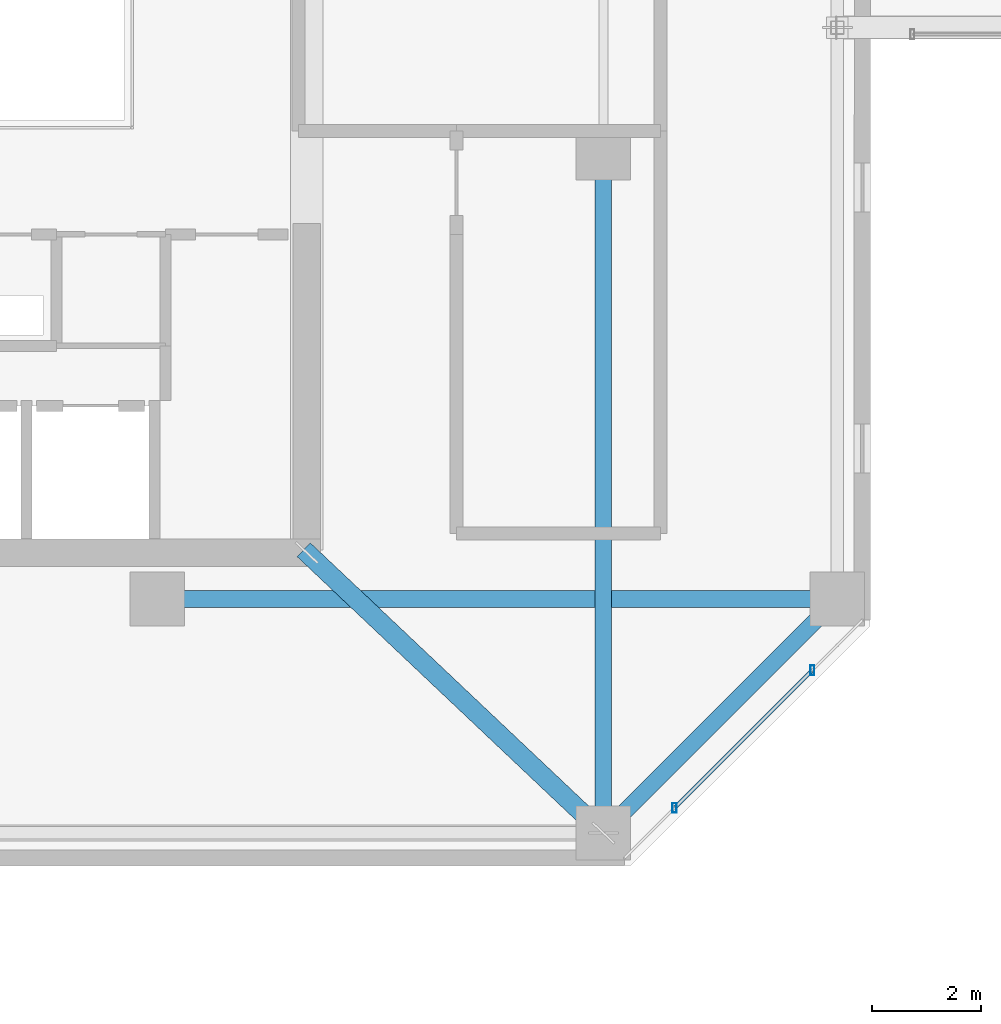
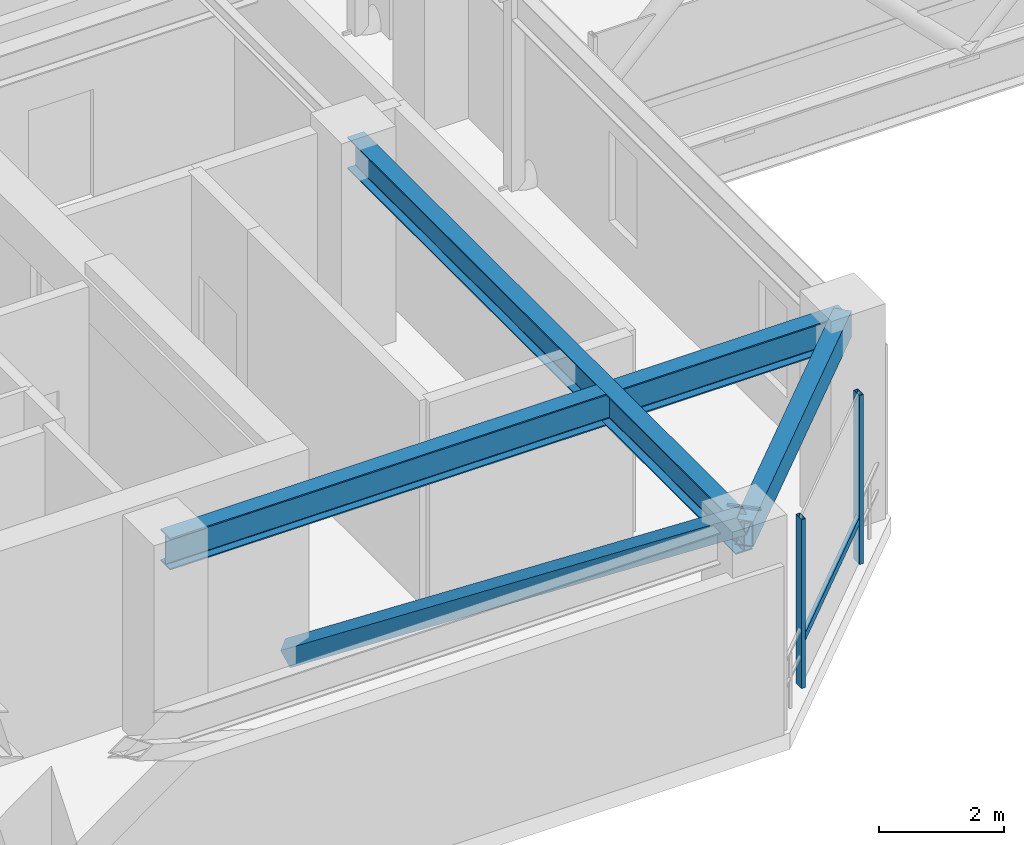
# One storey, part 5 of 42: 4 members, 3 beams, 1 element without a shape of its own.
"""IFC4 building model written with IfcOpenShell, lengths in metres."""

import ifcopenshell
import ifcopenshell.guid

model = None  # the IFC model being written
_history = None  # IfcOwnerHistory: only IFC2X3 demands one
_inside = {}  # id of a spatial element -> (the spatial element, [elements in it])
_under = {}  # id of a project, library or spatial element -> (it, [spatial elements below it])
_declared = {}  # id of a project -> (the project, [libraries it declares])
_typed = {}  # id of a type object -> (the type object, [elements of that type])
_made_of = {}  # id of a material, layer set ... -> (it, [elements and type objects made of it])


def new_model(schema):
    """Start an empty IFC model of exactly this schema.

    Asked for "IFC4X3", IfcOpenShell would pick the latest addendum, in which some entities
    have other attributes; the version numbers below select the first issue.
    IFC2X3 requires an IfcOwnerHistory on every rooted entity: one is made here for all.
    """
    global model, _history
    if schema == "IFC4X3":
        model = ifcopenshell.file(schema_version=(4, 3, 0, 0))
    else:
        model = ifcopenshell.file(schema=schema)
    _inside.clear()
    _under.clear()
    _declared.clear()
    _typed.clear()
    _made_of.clear()
    _history = None
    if model.schema == "IFC2X3":
        org = make("IfcOrganization", Name="unknown")
        user = make(
            "IfcPersonAndOrganization",
            ThePerson=make("IfcPerson", FamilyName="unknown"),
            TheOrganization=org,
        )
        app = make(
            "IfcApplication",
            ApplicationDeveloper=org,
            Version="unknown",
            ApplicationFullName="unknown",
            ApplicationIdentifier="unknown",
        )
        _history = make(
            "IfcOwnerHistory",
            OwningUser=user,
            OwningApplication=app,
            ChangeAction="ADDED",
            CreationDate=0,
        )
    return model


def make(cls, **values):
    """One entity of the class cls with the attributes given. An attribute that is None is left unset."""
    return model.create_entity(
        cls, **{name: value for name, value in values.items() if value is not None}
    )


def rooted(cls, **values):
    """An entity with a GlobalId (a new one), such as an element, a storey or a relation."""
    return make(cls, GlobalId=ifcopenshell.guid.new(), OwnerHistory=_history, **values)


def si_unit(unit_type, name, prefix=None):
    """IfcSIUnit, for example si_unit("LENGTHUNIT", "METRE", prefix="MILLI")."""
    return make("IfcSIUnit", UnitType=unit_type, Prefix=prefix, Name=name)


def assignment(units):
    """IfcUnitAssignment: the units of a project."""
    return None if units is None else make("IfcUnitAssignment", Units=units)


def point(xyz):
    """IfcCartesianPoint."""
    return None if xyz is None else make("IfcCartesianPoint", Coordinates=xyz)


def direction(xyz):
    """IfcDirection."""
    return None if xyz is None else make("IfcDirection", DirectionRatios=xyz)


def frame(location, z_axis=None, x_axis=None):
    """IfcAxis2Placement3D, a coordinate frame: its origin and axes. An axis left out is left unset."""
    return make(
        "IfcAxis2Placement3D",
        Location=point(location),
        Axis=direction(z_axis),
        RefDirection=direction(x_axis),
    )


def frame_2d(location, x_axis=None):
    """IfcAxis2Placement2D, a coordinate frame in the plane: its origin and x axis."""
    return make(
        "IfcAxis2Placement2D", Location=point(location), RefDirection=direction(x_axis)
    )


def origin():
    """The frame at (0, 0, 0) with its axes left unset."""
    return frame((0.0, 0.0, 0.0))


def origin_2d():
    """The frame at (0, 0) in the plane with its x axis left unset."""
    return frame_2d((0.0, 0.0))


def place(relative_to, where):
    """IfcLocalPlacement: puts the frame where relative to a parent placement (None: the world)."""
    return make(
        "IfcLocalPlacement", PlacementRelTo=relative_to, RelativePlacement=where
    )


def context(
    kind, dimensions, precision=None, world=None, true_north=None, identifier=None
):
    """IfcGeometricRepresentationContext, for example the 3D "Model" context."""
    return make(
        "IfcGeometricRepresentationContext",
        ContextIdentifier=identifier,
        ContextType=kind,
        CoordinateSpaceDimension=dimensions,
        Precision=precision,
        WorldCoordinateSystem=world,
        TrueNorth=true_north,
    )


def subcontext(parent, identifier, kind, view, scale=None):
    """IfcGeometricRepresentationSubContext, for example "Body" below "Model"."""
    return make(
        "IfcGeometricRepresentationSubContext",
        ContextIdentifier=identifier,
        ContextType=kind,
        ParentContext=parent,
        TargetScale=scale,
        TargetView=view,
    )


def project(units=None, contexts=None):
    """IfcProject with its units and contexts."""
    return rooted(
        "IfcProject",
        Name="project",
        RepresentationContexts=contexts,
        UnitsInContext=assignment(units),
    )


def spatial(cls, under=None, at=None, **own):
    """A site, building, storey or space (cls), placed at a placement, below another one or the project."""
    s = rooted(cls, ObjectPlacement=at, **own)
    if under is not None:
        _under.setdefault(under.id(), (under, []))[1].append(s)
    return s


def profile(cls, at=None, kind="AREA", **sizes):
    """A parametric profile (cls). Its sizes go by their IFC names, for example OverallWidth=200.0."""
    return make(cls, ProfileType=kind, Position=at, **sizes)


def hollow_rectangle(**sizes):
    """IfcRectangleHollowProfileDef."""
    return profile("IfcRectangleHollowProfileDef", **sizes)


def i_section(**sizes):
    """IfcIShapeProfileDef."""
    return profile("IfcIShapeProfileDef", **sizes)


def extrude(swept, where, along, depth):
    """IfcExtrudedAreaSolid: the profile swept, set in the frame where, extruded along a direction by depth."""
    return make(
        "IfcExtrudedAreaSolid",
        SweptArea=swept,
        Position=where,
        ExtrudedDirection=direction(along),
        Depth=depth,
    )


def shape(context_of_items, identifier, shape_type, items):
    """IfcShapeRepresentation: the items that make up one representation, for example the "Body"."""
    return make(
        "IfcShapeRepresentation",
        ContextOfItems=context_of_items,
        RepresentationIdentifier=identifier,
        RepresentationType=shape_type,
        Items=items,
    )


def material(Name=None, Category=None):
    """IfcMaterial."""
    return make("IfcMaterial", Name=Name, Category=Category)


def material_profile(
    of_material, cross_section, Name=None, Category=None, Priority=None
):
    """IfcMaterialProfile: a cross section and its material."""
    return make(
        "IfcMaterialProfile",
        Name=Name,
        Material=of_material,
        Profile=cross_section,
        Priority=Priority,
        Category=Category,
    )


def profile_set(profiles, Name=None, composite=None):
    """IfcMaterialProfileSet."""
    return make(
        "IfcMaterialProfileSet",
        Name=Name,
        MaterialProfiles=profiles,
        CompositeProfile=composite,
    )


def made_of(thing, what):
    """Note that an element or type object is made of a material, layer set ...; save() writes the relation."""
    if what is not None:
        _made_of.setdefault(what.id(), (what, []))[1].append(thing)
    return thing


def type_object(cls, material=None, **own):
    """A type object (cls), such as IfcWallType, which elements share."""
    return made_of(rooted(cls, **own), material)


def element(
    cls,
    number,
    at=None,
    inside=None,
    cuts=None,
    type_object=None,
    material=None,
    context=None,
    identifier="Body",
    shape_type=None,
    held_by="IfcProductDefinitionShape",
    body=None,
    shapes=None,
    **own,
):
    """One element of the class cls, such as IfcWall. Its Tag is "e" and its number.

    at: its placement. inside: the storey or other place that contains it. cuts: it is an
    opening in that element (IfcRelVoidsElement). A single representation is given by context,
    identifier, shape_type and body (its items); several are given by shapes. held_by: the class
    of the entity that holds the representations. save() writes the other relations.
    """
    e = rooted(cls, Tag="e%d" % number, ObjectPlacement=at, **own)
    if body is not None:
        shapes = [shape(context, identifier, shape_type, body)]
    if shapes is not None:
        e.Representation = make(held_by, Representations=shapes)
    if inside is not None:
        _inside.setdefault(inside.id(), (inside, []))[1].append(e)
    if cuts is not None:
        rooted(
            "IfcRelVoidsElement", RelatingBuildingElement=cuts, RelatedOpeningElement=e
        )
    if type_object is not None:
        _typed.setdefault(type_object.id(), (type_object, []))[1].append(e)
    return made_of(e, material)


def aggregate(whole, parts):
    """IfcRelAggregates: a whole, such as a stair, and the parts it consists of."""
    return rooted("IfcRelAggregates", RelatingObject=whole, RelatedObjects=parts)


def save(model, path):
    """Write the relations noted so far, then the file.

    IfcRelAggregates (storeys below a building ...), IfcRelContainedInSpatialStructure (elements
    in a storey), IfcRelDefinesByType, IfcRelAssociatesMaterial and IfcRelDeclares: one each for
    every whole, place, type object, material and project.
    """
    for whole, parts in _under.values():
        aggregate(whole, parts)
    for where, things in _inside.values():
        rooted(
            "IfcRelContainedInSpatialStructure",
            RelatedElements=things,
            RelatingStructure=where,
        )
    for kind, things in _typed.values():
        rooted("IfcRelDefinesByType", RelatedObjects=things, RelatingType=kind)
    for what, things in _made_of.values():
        rooted("IfcRelAssociatesMaterial", RelatedObjects=things, RelatingMaterial=what)
    for by, libraries in _declared.values():
        rooted("IfcRelDeclares", RelatingContext=by, RelatedDefinitions=libraries)
    model.write(path)


model = new_model("IFC4")

# Units and contexts
model_context = context("Model", 3, precision=1e-05, world=origin(), true_north=direction((0.0, 1.0)))
body_context = subcontext(model_context, "Body", "Model", "MODEL_VIEW")
ifc_project = project(units=[si_unit("LENGTHUNIT", "METRE"), si_unit("AREAUNIT", "SQUARE_METRE"), si_unit("VOLUMEUNIT", "CUBIC_METRE"), si_unit("PLANEANGLEUNIT", "RADIAN"), si_unit("MASSUNIT", "GRAM", prefix="KILO")], contexts=[model_context])

# Site, building, storey
site_placement = place(None, origin())
site = spatial("IfcSite", under=ifc_project, at=site_placement, CompositionType="ELEMENT")
building_placement = place(site_placement, origin())
building = spatial("IfcBuilding", under=site, at=building_placement, Name="Thornwick Lancets Civic Towers", CompositionType="ELEMENT")
storey_placement = place(building_placement, frame((0.0, 0.0, 221.699951171875)))
storey = spatial("IfcBuildingStorey", under=building, at=storey_placement, Name="L59", CompositionType="ELEMENT", Elevation=221.699951171875)

# Beams
ifc_material_1 = material(Name="Steel S355JR", Category="steel")
ifc_material_profile_1 = material_profile(ifc_material_1, i_section(OverallWidth=0.30712890625, OverallDepth=0.6201171875, WebThickness=0.01416015625, FlangeThickness=0.023681640625, FilletRadius=0.0166015625, at=origin_2d()), Name="UKB 610x305x179")
ifc_profile_set_1 = profile_set([ifc_material_profile_1], Name="Steel S355JR")
beam_type_1 = type_object("IfcBeamType", Name="BM_GIRD_610_179", PredefinedType="BEAM", material=ifc_profile_set_1)
beam_1_placement = place(storey_placement, frame((38.5, 22.1201171875, 3.64990234375), z_axis=(0.0, -1.0, 0.0), x_axis=(1.0, 0.0, 0.0)))
element("IfcBeam", 1, at=beam_1_placement, inside=storey, type_object=beam_type_1, Name="BM-RADIN-L59-A03", PredefinedType="BEAM", context=body_context, shape_type="SweptSolid", body=[
    extrude(i_section(OverallWidth=0.30712890625, OverallDepth=0.6201171875, WebThickness=0.01416015625, FlangeThickness=0.023681640625, FilletRadius=0.0166015625, at=origin_2d()), origin(), (0.0, 0.0, 1.0), 12.420166015625),
])
beam_2_placement = place(storey_placement, frame((30.300048828125, 14.0, 3.64990234375), z_axis=(1.0, 0.0, 0.0), x_axis=(0.0, 1.0, 0.0)))
element("IfcBeam", 2, at=beam_2_placement, inside=storey, type_object=beam_type_1, Name="BM-RADIN-L59-A04", PredefinedType="BEAM", context=body_context, shape_type="SweptSolid", body=[
    extrude(i_section(OverallWidth=0.30712890625, OverallDepth=0.6201171875, WebThickness=0.01416015625, FlangeThickness=0.023681640625, FilletRadius=0.0166015625, at=origin_2d()), origin(), (0.0, 0.0, 1.0), 12.5),
])
ifc_material_2 = material(Name="Steel S460M", Category="steel")
ifc_material_profile_2 = material_profile(ifc_material_2, hollow_rectangle(XDim=0.300048828125, YDim=0.5, WallThickness=0.02001953125, at=origin_2d()), Name="RHS 500x300x20")
ifc_profile_set_2 = profile_set([ifc_material_profile_2], Name="Steel S460M")
beam_type_2 = type_object("IfcBeamType", Name="BM_RING_RHS500", PredefinedType="BEAM", material=ifc_profile_set_2)
beam_3_placement = place(storey_placement, frame((38.5, 9.699951171875, 3.7099609375), z_axis=(0.707106781187, 0.707106781187, 0.0), x_axis=(-0.707106781187, 0.707106781187, 0.0)))
element("IfcBeam", 3, at=beam_3_placement, inside=storey, type_object=beam_type_2, Name="BM-CHAMF-L59-A-C0", PredefinedType="BEAM", context=body_context, shape_type="SweptSolid", body=[
    extrude(hollow_rectangle(XDim=0.300048828125, YDim=0.5, WallThickness=0.02001953125, at=origin_2d()), origin(), (0.0, 0.0, 1.0), 6.081298828125),
])

# Curtain wall, members
ifc_material_3 = material(Name="High-zone chamfered-corner unitised glass curtain wall", Category="glass")
curtain_wall_type = type_object("IfcCurtainWallType", Name="CW_SYS_05", PredefinedType="NOTDEFINED", material=ifc_material_3)
curtain_wall_placement = place(storey_placement, origin())
curtain_wall = element("IfcCurtainWall", 4, at=curtain_wall_placement, inside=storey, type_object=curtain_wall_type, Name="L59 Curtain Wall CW-L59-A-E1", PredefinedType="NOTDEFINED")
ifc_material_4 = material(Name="Thermally broken bronze aluminium S355", Category="steel")
ifc_material_profile_3 = material_profile(ifc_material_4, hollow_rectangle(XDim=0.074951171875, YDim=0.179931640625, WallThickness=0.006103515625, at=origin_2d()), Name="RHS 180x75x6")
ifc_profile_set_3 = profile_set([ifc_material_profile_3], Name="Thermally broken bronze aluminium S355")
member_type_1 = type_object("IfcMemberType", Name="CW_MUL_180", PredefinedType="MULLION", material=ifc_profile_set_3)
member_1_placement = place(storey_placement, frame((39.8076171875, 10.160400390625, 0.0), z_axis=(0.0, 0.0, 1.0), x_axis=(1.0, 0.0, 0.0)))
member_1 = element("IfcMember", 5, at=member_1_placement, type_object=member_type_1, Name="CW-L59-A-E1 Mullion 0", PredefinedType="MULLION", context=body_context, shape_type="SweptSolid", body=[
    extrude(hollow_rectangle(XDim=0.074951171875, YDim=0.179931640625, WallThickness=0.006103515625, at=origin_2d()), origin(), (0.0, 0.0, 1.0), 3.300048828125),
])
member_2_placement = place(storey_placement, frame((42.339599609375, 12.6923828125, 0.0), z_axis=(0.0, 0.0, 1.0), x_axis=(1.0, 0.0, 0.0)))
member_2 = element("IfcMember", 6, at=member_2_placement, type_object=member_type_1, Name="CW-L59-A-E1 Mullion 1", PredefinedType="MULLION", context=body_context, shape_type="SweptSolid", body=[
    extrude(hollow_rectangle(XDim=0.074951171875, YDim=0.179931640625, WallThickness=0.006103515625, at=origin_2d()), origin(), (0.0, 0.0, 1.0), 3.300048828125),
])
ifc_material_profile_4 = material_profile(ifc_material_4, hollow_rectangle(XDim=0.074951171875, YDim=0.14990234375, WallThickness=0.0048828125, at=origin_2d()), Name="RHS 150x75x5")
ifc_profile_set_4 = profile_set([ifc_material_profile_4], Name="Thermally broken bronze aluminium S355")
member_type_2 = type_object("IfcMemberType", Name="CW_TRN_150", PredefinedType="USERDEFINED", material=ifc_profile_set_4)
member_3_placement = place(storey_placement, frame((39.821533203125, 10.17431640625, 0.85009765625), z_axis=(0.707106781187, 0.707106781187, 0.0), x_axis=(-0.707106781187, 0.707106781187, 0.0)))
member_3 = element("IfcMember", 7, at=member_3_placement, type_object=member_type_2, Name="CW-L59-A-E1 Transom 0", ObjectType="TRANSOM", PredefinedType="USERDEFINED", context=body_context, shape_type="SweptSolid", body=[
    extrude(hollow_rectangle(XDim=0.074951171875, YDim=0.14990234375, WallThickness=0.0048828125, at=origin_2d()), origin(), (0.0, 0.0, 1.0), 3.54150390625),
])
aggregate(curtain_wall, [member_1, member_2, member_3])

# Member
ifc_material_profile_5 = material_profile(ifc_material_2, hollow_rectangle(XDim=0.35009765625, YDim=0.35009765625, WallThickness=0.01611328125, at=origin_2d()), Name="SHS 350x350x16")
ifc_profile_set_5 = profile_set([ifc_material_profile_5], Name="Steel S460M")
member_type_3 = type_object("IfcMemberType", Name="MEM_OUTRIG_SHS350", PredefinedType="BRACE", material=ifc_profile_set_5)
member_4_placement = place(storey_placement, frame((33.050048828125, 14.85009765625, 0.150146484375), z_axis=(0.647974699772, -0.612329269887, 0.452969815434), x_axis=(0.686832880872, 0.726815378038, 0.0)))
element("IfcMember", 8, at=member_4_placement, inside=storey, type_object=member_type_3, Name="L59 Outrigger Brace A-1", PredefinedType="BRACE", context=body_context, shape_type="SweptSolid", body=[
    extrude(hollow_rectangle(XDim=0.35009765625, YDim=0.35009765625, WallThickness=0.01611328125, at=origin_2d()), origin(), (0.0, 0.0, 1.0), 8.41064453125),
])

save(model, "model.ifc")
